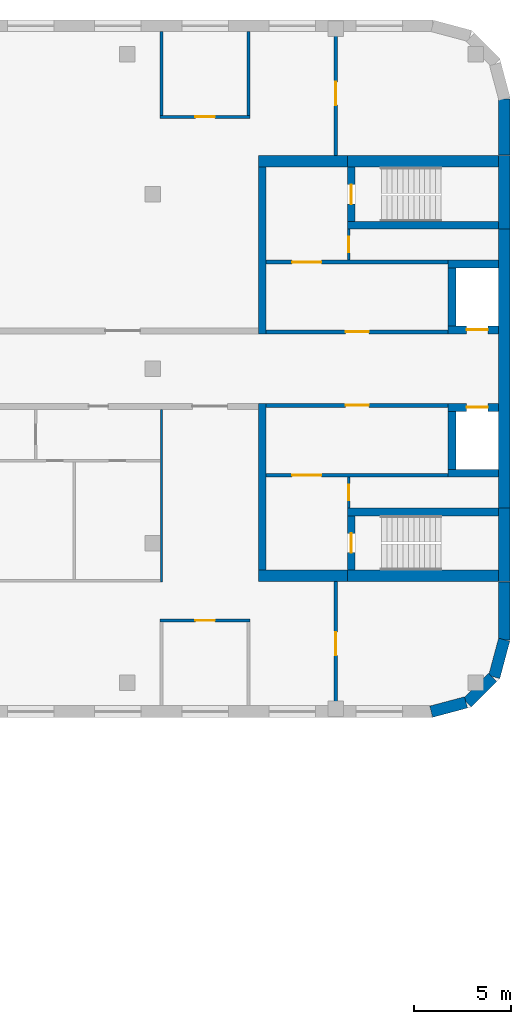
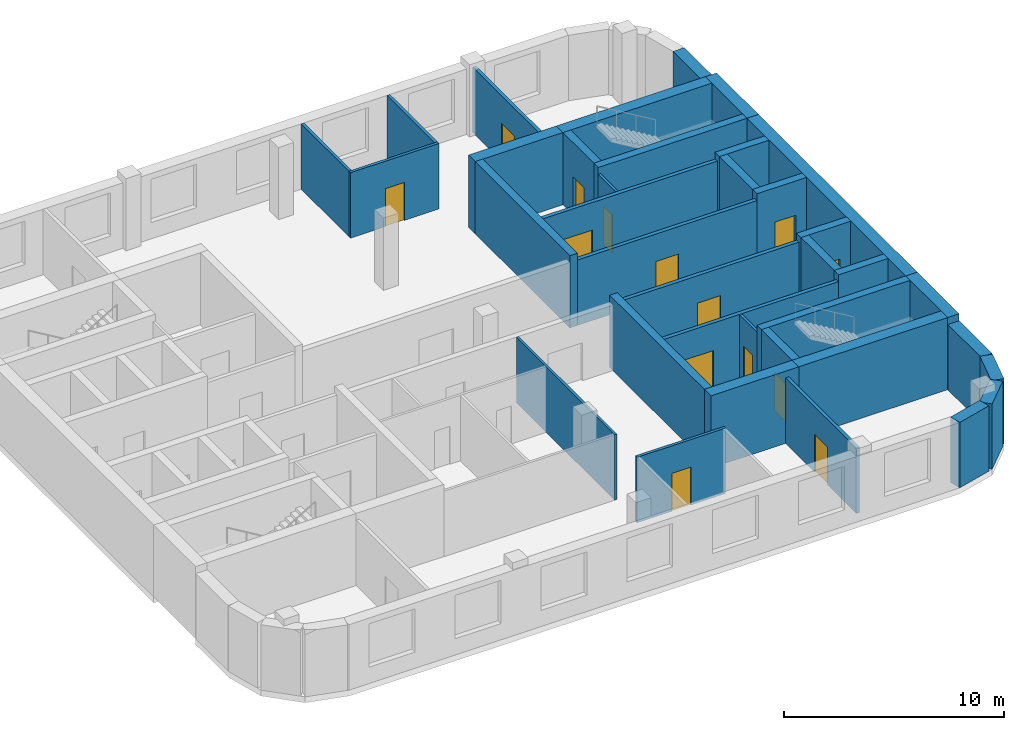
# One storey, part 9 of 12: 37 walls, 14 doors, 14 openings.
"""IFC4 building model written with IfcOpenShell, lengths in metres."""

import ifcopenshell
import ifcopenshell.guid

model = None  # the IFC model being written
_history = None  # IfcOwnerHistory: only IFC2X3 demands one
_inside = {}  # id of a spatial element -> (the spatial element, [elements in it])
_under = {}  # id of a project, library or spatial element -> (it, [spatial elements below it])
_declared = {}  # id of a project -> (the project, [libraries it declares])
_typed = {}  # id of a type object -> (the type object, [elements of that type])
_made_of = {}  # id of a material, layer set ... -> (it, [elements and type objects made of it])


def new_model(schema):
    """Start an empty IFC model of exactly this schema.

    Asked for "IFC4X3", IfcOpenShell would pick the latest addendum, in which some entities
    have other attributes; the version numbers below select the first issue.
    IFC2X3 requires an IfcOwnerHistory on every rooted entity: one is made here for all.
    """
    global model, _history
    if schema == "IFC4X3":
        model = ifcopenshell.file(schema_version=(4, 3, 0, 0))
    else:
        model = ifcopenshell.file(schema=schema)
    _inside.clear()
    _under.clear()
    _declared.clear()
    _typed.clear()
    _made_of.clear()
    _history = None
    if model.schema == "IFC2X3":
        org = make("IfcOrganization", Name="unknown")
        user = make(
            "IfcPersonAndOrganization",
            ThePerson=make("IfcPerson", FamilyName="unknown"),
            TheOrganization=org,
        )
        app = make(
            "IfcApplication",
            ApplicationDeveloper=org,
            Version="unknown",
            ApplicationFullName="unknown",
            ApplicationIdentifier="unknown",
        )
        _history = make(
            "IfcOwnerHistory",
            OwningUser=user,
            OwningApplication=app,
            ChangeAction="ADDED",
            CreationDate=0,
        )
    return model


def make(cls, **values):
    """One entity of the class cls with the attributes given. An attribute that is None is left unset."""
    return model.create_entity(
        cls, **{name: value for name, value in values.items() if value is not None}
    )


def rooted(cls, **values):
    """An entity with a GlobalId (a new one), such as an element, a storey or a relation."""
    return make(cls, GlobalId=ifcopenshell.guid.new(), OwnerHistory=_history, **values)


def si_unit(unit_type, name, prefix=None):
    """IfcSIUnit, for example si_unit("LENGTHUNIT", "METRE", prefix="MILLI")."""
    return make("IfcSIUnit", UnitType=unit_type, Prefix=prefix, Name=name)


def assignment(units):
    """IfcUnitAssignment: the units of a project."""
    return None if units is None else make("IfcUnitAssignment", Units=units)


def point(xyz):
    """IfcCartesianPoint."""
    return None if xyz is None else make("IfcCartesianPoint", Coordinates=xyz)


def direction(xyz):
    """IfcDirection."""
    return None if xyz is None else make("IfcDirection", DirectionRatios=xyz)


def frame(location, z_axis=None, x_axis=None):
    """IfcAxis2Placement3D, a coordinate frame: its origin and axes. An axis left out is left unset."""
    return make(
        "IfcAxis2Placement3D",
        Location=point(location),
        Axis=direction(z_axis),
        RefDirection=direction(x_axis),
    )


def frame_2d(location, x_axis=None):
    """IfcAxis2Placement2D, a coordinate frame in the plane: its origin and x axis."""
    return make(
        "IfcAxis2Placement2D", Location=point(location), RefDirection=direction(x_axis)
    )


def origin():
    """The frame at (0, 0, 0) with its axes left unset."""
    return frame((0.0, 0.0, 0.0))


def place(relative_to, where):
    """IfcLocalPlacement: puts the frame where relative to a parent placement (None: the world)."""
    return make(
        "IfcLocalPlacement", PlacementRelTo=relative_to, RelativePlacement=where
    )


def context(
    kind, dimensions, precision=None, world=None, true_north=None, identifier=None
):
    """IfcGeometricRepresentationContext, for example the 3D "Model" context."""
    return make(
        "IfcGeometricRepresentationContext",
        ContextIdentifier=identifier,
        ContextType=kind,
        CoordinateSpaceDimension=dimensions,
        Precision=precision,
        WorldCoordinateSystem=world,
        TrueNorth=true_north,
    )


def subcontext(parent, identifier, kind, view, scale=None):
    """IfcGeometricRepresentationSubContext, for example "Body" below "Model"."""
    return make(
        "IfcGeometricRepresentationSubContext",
        ContextIdentifier=identifier,
        ContextType=kind,
        ParentContext=parent,
        TargetScale=scale,
        TargetView=view,
    )


def project(units=None, contexts=None):
    """IfcProject with its units and contexts."""
    return rooted(
        "IfcProject",
        Name="project",
        RepresentationContexts=contexts,
        UnitsInContext=assignment(units),
    )


def spatial(cls, under=None, at=None, **own):
    """A site, building, storey or space (cls), placed at a placement, below another one or the project."""
    s = rooted(cls, ObjectPlacement=at, **own)
    if under is not None:
        _under.setdefault(under.id(), (under, []))[1].append(s)
    return s


def profile(cls, at=None, kind="AREA", **sizes):
    """A parametric profile (cls). Its sizes go by their IFC names, for example OverallWidth=200.0."""
    return make(cls, ProfileType=kind, Position=at, **sizes)


def rectangle(**sizes):
    """IfcRectangleProfileDef."""
    return profile("IfcRectangleProfileDef", **sizes)


def extrude(swept, where, along, depth):
    """IfcExtrudedAreaSolid: the profile swept, set in the frame where, extruded along a direction by depth."""
    return make(
        "IfcExtrudedAreaSolid",
        SweptArea=swept,
        Position=where,
        ExtrudedDirection=direction(along),
        Depth=depth,
    )


def shape(context_of_items, identifier, shape_type, items):
    """IfcShapeRepresentation: the items that make up one representation, for example the "Body"."""
    return make(
        "IfcShapeRepresentation",
        ContextOfItems=context_of_items,
        RepresentationIdentifier=identifier,
        RepresentationType=shape_type,
        Items=items,
    )


def material(Name=None, Category=None):
    """IfcMaterial."""
    return make("IfcMaterial", Name=Name, Category=Category)


def layer(
    of_material, thickness, ventilated=None, Name=None, Category=None, Priority=None
):
    """IfcMaterialLayer: one layer of a wall or slab, of a material (None: an air gap)."""
    return make(
        "IfcMaterialLayer",
        Material=of_material,
        LayerThickness=thickness,
        IsVentilated=ventilated,
        Name=Name,
        Category=Category,
        Priority=Priority,
    )


def layer_set(layers, Name=None):
    """IfcMaterialLayerSet."""
    return make("IfcMaterialLayerSet", MaterialLayers=layers, LayerSetName=Name)


def made_of(thing, what):
    """Note that an element or type object is made of a material, layer set ...; save() writes the relation."""
    if what is not None:
        _made_of.setdefault(what.id(), (what, []))[1].append(thing)
    return thing


def type_object(cls, material=None, **own):
    """A type object (cls), such as IfcWallType, which elements share."""
    return made_of(rooted(cls, **own), material)


def element(
    cls,
    number,
    at=None,
    inside=None,
    cuts=None,
    type_object=None,
    material=None,
    context=None,
    identifier="Body",
    shape_type=None,
    held_by="IfcProductDefinitionShape",
    body=None,
    shapes=None,
    **own,
):
    """One element of the class cls, such as IfcWall. Its Tag is "e" and its number.

    at: its placement. inside: the storey or other place that contains it. cuts: it is an
    opening in that element (IfcRelVoidsElement). A single representation is given by context,
    identifier, shape_type and body (its items); several are given by shapes. held_by: the class
    of the entity that holds the representations. save() writes the other relations.
    """
    e = rooted(cls, Tag="e%d" % number, ObjectPlacement=at, **own)
    if body is not None:
        shapes = [shape(context, identifier, shape_type, body)]
    if shapes is not None:
        e.Representation = make(held_by, Representations=shapes)
    if inside is not None:
        _inside.setdefault(inside.id(), (inside, []))[1].append(e)
    if cuts is not None:
        rooted(
            "IfcRelVoidsElement", RelatingBuildingElement=cuts, RelatedOpeningElement=e
        )
    if type_object is not None:
        _typed.setdefault(type_object.id(), (type_object, []))[1].append(e)
    return made_of(e, material)


def fill(opening, filler):
    """IfcRelFillsElement: the door or window that sits in an opening."""
    return rooted(
        "IfcRelFillsElement",
        RelatingOpeningElement=opening,
        RelatedBuildingElement=filler,
    )


def aggregate(whole, parts):
    """IfcRelAggregates: a whole, such as a stair, and the parts it consists of."""
    return rooted("IfcRelAggregates", RelatingObject=whole, RelatedObjects=parts)


def save(model, path):
    """Write the relations noted so far, then the file.

    IfcRelAggregates (storeys below a building ...), IfcRelContainedInSpatialStructure (elements
    in a storey), IfcRelDefinesByType, IfcRelAssociatesMaterial and IfcRelDeclares: one each for
    every whole, place, type object, material and project.
    """
    for whole, parts in _under.values():
        aggregate(whole, parts)
    for where, things in _inside.values():
        rooted(
            "IfcRelContainedInSpatialStructure",
            RelatedElements=things,
            RelatingStructure=where,
        )
    for kind, things in _typed.values():
        rooted("IfcRelDefinesByType", RelatedObjects=things, RelatingType=kind)
    for what, things in _made_of.values():
        rooted("IfcRelAssociatesMaterial", RelatedObjects=things, RelatingMaterial=what)
    for by, libraries in _declared.values():
        rooted("IfcRelDeclares", RelatingContext=by, RelatedDefinitions=libraries)
    model.write(path)


model = new_model("IFC4")

# Units and contexts
model_context = context("Model", 3, precision=1e-05, world=origin(), true_north=direction((0.0, 1.0)))
body_context = subcontext(model_context, "Body", "Model", "MODEL_VIEW")
ifc_project = project(units=[si_unit("LENGTHUNIT", "METRE"), si_unit("AREAUNIT", "SQUARE_METRE"), si_unit("VOLUMEUNIT", "CUBIC_METRE"), si_unit("PLANEANGLEUNIT", "RADIAN"), si_unit("MASSUNIT", "GRAM", prefix="KILO")], contexts=[model_context])

# Site, building, storey
site_placement = place(None, origin())
site = spatial("IfcSite", under=ifc_project, at=site_placement, CompositionType="ELEMENT")
building_placement = place(site_placement, origin())
building = spatial("IfcBuilding", under=site, at=building_placement, Name="Skarvind Civic Tower", CompositionType="ELEMENT")
storey_placement = place(building_placement, frame((0.0, 0.0, 51.5)))
storey = spatial("IfcBuildingStorey", under=building, at=storey_placement, Name="L11", CompositionType="ELEMENT", Elevation=51.5)

# Wall, opening, door
ifc_material_1 = material(Name="Acoustic gypsum board on steel studs", Category="steel")
ifc_layer_1 = layer(ifc_material_1, 0.175048828125)
ifc_layer_set_1 = layer_set([ifc_layer_1], Name="ACOUSTIC MEETING-ROOM PARTITION 175")
wall_type_1 = type_object("IfcWallType", Name="ACOUSTIC MEETING-ROOM PARTITION 175", PredefinedType="PARTITIONING", material=ifc_layer_set_1)
wall_1_placement = place(storey_placement, frame((158.0, 110.60009765625, 0.0), z_axis=(0.0, 0.0, 1.0), x_axis=(0.0, 1.0, 0.0)))
wall_1 = element("IfcWall", 1, at=wall_1_placement, inside=storey, type_object=wall_type_1, Name="Partition 11.016", PredefinedType="PARTITIONING", context=body_context, shape_type="SweptSolid", body=[
    extrude(rectangle(XDim=6.39990234375, YDim=0.175048828125, at=frame_2d((3.199951171875, 0.0))), origin(), (0.0, 0.0, 1.0), 3.625),
])
opening_1_placement = place(wall_1_placement, frame((2.60009765625, 0.0, 0.0)))
opening_1 = element("IfcOpeningElement", 2, at=opening_1_placement, cuts=wall_1, Name="Opening L11-D112", PredefinedType="OPENING", context=body_context, shape_type="SweptSolid", body=[
    extrude(rectangle(XDim=1.199951171875, YDim=2.10009765625, at=frame_2d((0.60009765625, 1.050048828125))), frame((0.0, 0.097412109375, 0.0), z_axis=(0.0, -1.0, 0.0), x_axis=(1.0, 0.0, 0.0)), (0.0, 0.0, 1.0), 0.195068359375),
])
ifc_material_2 = material(Name="Timber door leaf", Category="wood")
door_type_1 = type_object("IfcDoorType", Name="DOOR 1200X2100 DOUBLE TIMBER", OperationType="NOTDEFINED", PredefinedType="DOOR", material=ifc_material_2)
door_1_placement = place(opening_1_placement, origin())
door_1 = element("IfcDoor", 3, at=door_1_placement, inside=storey, type_object=door_type_1, Name="Door L11-D112", OperationType="DOUBLE_DOOR_SINGLE_SWING", OverallHeight=2.10009765625, OverallWidth=1.199951171875, PredefinedType="DOOR", context=body_context, shape_type="SweptSolid", body=[
    extrude(rectangle(XDim=1.199951171875, YDim=2.10009765625, at=frame_2d((0.60009765625, 1.050048828125))), frame((0.0, 0.02490234375, 0.0), z_axis=(0.0, -1.0, 0.0), x_axis=(1.0, 0.0, 0.0)), (0.0, 0.0, 1.0), 0.050048828125),
])
fill(opening_1, door_1)

wall_2_placement = place(storey_placement, frame((158.0, 139.0, 0.0), z_axis=(0.0, 0.0, 1.0), x_axis=(0.0, 1.0, 0.0)))
wall_2 = element("IfcWall", 4, at=wall_2_placement, inside=storey, type_object=wall_type_1, Name="Partition 11.017", PredefinedType="PARTITIONING", context=body_context, shape_type="SweptSolid", body=[
    extrude(rectangle(XDim=6.39990234375, YDim=0.175048828125, at=frame_2d((3.199951171875, 0.0))), origin(), (0.0, 0.0, 1.0), 3.625),
])
opening_2_placement = place(wall_2_placement, frame((2.60009765625, 0.0, 0.0)))
opening_2 = element("IfcOpeningElement", 5, at=opening_2_placement, cuts=wall_2, Name="Opening L11-D104", PredefinedType="OPENING", context=body_context, shape_type="SweptSolid", body=[
    extrude(rectangle(XDim=1.199951171875, YDim=2.10009765625, at=frame_2d((0.60009765625, 1.050048828125))), frame((0.0, 0.097412109375, 0.0), z_axis=(0.0, -1.0, 0.0), x_axis=(1.0, 0.0, 0.0)), (0.0, 0.0, 1.0), 0.195068359375),
])
door_2_placement = place(opening_2_placement, origin())
door_2 = element("IfcDoor", 6, at=door_2_placement, inside=storey, type_object=door_type_1, Name="Door L11-D104", OperationType="DOUBLE_DOOR_SINGLE_SWING", OverallHeight=2.10009765625, OverallWidth=1.199951171875, PredefinedType="DOOR", context=body_context, shape_type="SweptSolid", body=[
    extrude(rectangle(XDim=1.199951171875, YDim=2.10009765625, at=frame_2d((0.60009765625, 1.050048828125))), frame((0.0, 0.02490234375, 0.0), z_axis=(0.0, -1.0, 0.0), x_axis=(1.0, 0.0, 0.0)), (0.0, 0.0, 1.0), 0.050048828125),
])
fill(opening_2, door_2)

ifc_material_3 = material(Name="Fire-rated masonry partition", Category="masonry")
ifc_layer_2 = layer(ifc_material_3, 0.199951171875)
ifc_layer_set_2 = layer_set([ifc_layer_2], Name="Core enclosure wall 200")
wall_type_2 = type_object("IfcWallType", Name="Core enclosure wall 200", PredefinedType="PARTITIONING", material=ifc_layer_set_2)
wall_3_placement = place(storey_placement, frame((163.800048828125, 126.10009765625, 0.0), z_axis=(0.0, 0.0, 1.0), x_axis=(-1.0, 0.0, 0.0)))
wall_3 = element("IfcWall", 7, at=wall_3_placement, inside=storey, type_object=wall_type_2, Name="Core wall CB", PredefinedType="PARTITIONING", context=body_context, shape_type="SweptSolid", body=[
    extrude(rectangle(XDim=9.400146484375, YDim=0.199951171875, at=frame_2d((4.7001953125, 0.0))), origin(), (0.0, 0.0, 1.0), 3.625),
])
opening_3_placement = place(wall_3_placement, frame((4.10009765625, 0.0, 0.0)))
opening_3 = element("IfcOpeningElement", 8, at=opening_3_placement, cuts=wall_3, Name="Opening D-L11-CB-03", PredefinedType="OPENING", context=body_context, shape_type="SweptSolid", body=[
    extrude(rectangle(XDim=1.199951171875, YDim=2.10009765625, at=frame_2d((0.60009765625, 1.050048828125))), frame((0.0, 0.10986328125, 0.0), z_axis=(0.0, -1.0, 0.0), x_axis=(1.0, 0.0, 0.0)), (0.0, 0.0, 1.0), 0.219970703125),
])
ifc_material_4 = material(Name="Fire-rated steel door", Category="steel")
door_type_2 = type_object("IfcDoorType", Name="Core lobby door 1200", OperationType="NOTDEFINED", PredefinedType="DOOR", material=ifc_material_4)
door_3_placement = place(opening_3_placement, origin())
door_3 = element("IfcDoor", 9, at=door_3_placement, inside=storey, type_object=door_type_2, Name="Fire door", OperationType="DOUBLE_DOOR_SINGLE_SWING", OverallHeight=2.10009765625, OverallWidth=1.199951171875, PredefinedType="DOOR", context=body_context, shape_type="SweptSolid", body=[
    extrude(rectangle(XDim=1.199951171875, YDim=2.10009765625, at=frame_2d((0.60009765625, 1.050048828125))), frame((0.0, 0.02490234375, 0.0), z_axis=(0.0, -1.0, 0.0), x_axis=(1.0, 0.0, 0.0)), (0.0, 0.0, 1.0), 0.050048828125),
])
fill(opening_3, door_3)

wall_4_placement = place(storey_placement, frame((163.800048828125, 122.5, 0.0), z_axis=(0.0, 0.0, 1.0), x_axis=(-1.0, 0.0, 0.0)))
wall_4 = element("IfcWall", 10, at=wall_4_placement, inside=storey, type_object=wall_type_2, Name="Core wall CB", PredefinedType="PARTITIONING", context=body_context, shape_type="SweptSolid", body=[
    extrude(rectangle(XDim=9.400146484375, YDim=0.199951171875, at=frame_2d((4.7001953125, 0.0))), origin(), (0.0, 0.0, 1.0), 3.625),
])
opening_4_placement = place(wall_4_placement, frame((6.550048828125, 0.0, 0.0)))
opening_4 = element("IfcOpeningElement", 11, at=opening_4_placement, cuts=wall_4, Name="Opening D-L11-CB-04", PredefinedType="OPENING", context=body_context, shape_type="SweptSolid", body=[
    extrude(rectangle(XDim=1.5, YDim=2.10009765625, at=frame_2d((0.75, 1.050048828125))), frame((0.0, 0.10986328125, 0.0), z_axis=(0.0, -1.0, 0.0), x_axis=(1.0, 0.0, 0.0)), (0.0, 0.0, 1.0), 0.219970703125),
])
door_type_3 = type_object("IfcDoorType", Name="Fire door 1500", OperationType="NOTDEFINED", PredefinedType="DOOR", material=ifc_material_4)
door_4_placement = place(opening_4_placement, origin())
door_4 = element("IfcDoor", 12, at=door_4_placement, inside=storey, type_object=door_type_3, Name="Fire door", OperationType="DOUBLE_DOOR_SINGLE_SWING", OverallHeight=2.10009765625, OverallWidth=1.5, PredefinedType="DOOR", context=body_context, shape_type="SweptSolid", body=[
    extrude(rectangle(XDim=1.5, YDim=2.10009765625, at=frame_2d((0.75, 1.050048828125))), frame((0.0, 0.02490234375, 0.0), z_axis=(0.0, -1.0, 0.0), x_axis=(1.0, 0.0, 0.0)), (0.0, 0.0, 1.0), 0.050048828125),
])
fill(opening_4, door_4)

wall_5_placement = place(storey_placement, frame((154.39990234375, 129.89990234375, 0.0), z_axis=(0.0, 0.0, 1.0), x_axis=(1.0, 0.0, 0.0)))
wall_5 = element("IfcWall", 13, at=wall_5_placement, inside=storey, type_object=wall_type_2, Name="Core wall CB", PredefinedType="PARTITIONING", context=body_context, shape_type="SweptSolid", body=[
    extrude(rectangle(XDim=9.400146484375, YDim=0.199951171875, at=frame_2d((4.7001953125, 0.0))), origin(), (0.0, 0.0, 1.0), 3.625),
])
opening_5_placement = place(wall_5_placement, frame((4.10009765625, 0.0, 0.0)))
opening_5 = element("IfcOpeningElement", 14, at=opening_5_placement, cuts=wall_5, Name="Opening D-L11-CB-07", PredefinedType="OPENING", context=body_context, shape_type="SweptSolid", body=[
    extrude(rectangle(XDim=1.199951171875, YDim=2.10009765625, at=frame_2d((0.60009765625, 1.050048828125))), frame((0.0, 0.10986328125, 0.0), z_axis=(0.0, -1.0, 0.0), x_axis=(1.0, 0.0, 0.0)), (0.0, 0.0, 1.0), 0.219970703125),
])
door_5_placement = place(opening_5_placement, origin())
door_5 = element("IfcDoor", 15, at=door_5_placement, inside=storey, type_object=door_type_2, Name="Fire door", OperationType="DOUBLE_DOOR_SINGLE_SWING", OverallHeight=2.10009765625, OverallWidth=1.199951171875, PredefinedType="DOOR", context=body_context, shape_type="SweptSolid", body=[
    extrude(rectangle(XDim=1.199951171875, YDim=2.10009765625, at=frame_2d((0.60009765625, 1.050048828125))), frame((0.0, 0.02490234375, 0.0), z_axis=(0.0, -1.0, 0.0), x_axis=(1.0, 0.0, 0.0)), (0.0, 0.0, 1.0), 0.050048828125),
])
fill(opening_5, door_5)

wall_6_placement = place(storey_placement, frame((154.39990234375, 133.5, 0.0), z_axis=(0.0, 0.0, 1.0), x_axis=(1.0, 0.0, 0.0)))
wall_6 = element("IfcWall", 16, at=wall_6_placement, inside=storey, type_object=wall_type_2, Name="Core wall CB", PredefinedType="PARTITIONING", context=body_context, shape_type="SweptSolid", body=[
    extrude(rectangle(XDim=9.400146484375, YDim=0.199951171875, at=frame_2d((4.7001953125, 0.0))), origin(), (0.0, 0.0, 1.0), 3.625),
])
opening_6_placement = place(wall_6_placement, frame((1.35009765625, 0.0, 0.0)))
opening_6 = element("IfcOpeningElement", 17, at=opening_6_placement, cuts=wall_6, Name="Opening D-L11-CB-08", PredefinedType="OPENING", context=body_context, shape_type="SweptSolid", body=[
    extrude(rectangle(XDim=1.5, YDim=2.10009765625, at=frame_2d((0.75, 1.050048828125))), frame((0.0, 0.10986328125, 0.0), z_axis=(0.0, -1.0, 0.0), x_axis=(1.0, 0.0, 0.0)), (0.0, 0.0, 1.0), 0.219970703125),
])
door_6_placement = place(opening_6_placement, origin())
door_6 = element("IfcDoor", 18, at=door_6_placement, inside=storey, type_object=door_type_3, Name="Fire door", OperationType="DOUBLE_DOOR_SINGLE_SWING", OverallHeight=2.10009765625, OverallWidth=1.5, PredefinedType="DOOR", context=body_context, shape_type="SweptSolid", body=[
    extrude(rectangle(XDim=1.5, YDim=2.10009765625, at=frame_2d((0.75, 1.050048828125))), frame((0.0, 0.02490234375, 0.0), z_axis=(0.0, -1.0, 0.0), x_axis=(1.0, 0.0, 0.0)), (0.0, 0.0, 1.0), 0.050048828125),
])
fill(opening_6, door_6)

# Wall
ifc_material_5 = material(Name="Concrete C80", Category="concrete")
ifc_layer_3 = layer(ifc_material_5, 0.39990234375)
ifc_layer_set_3 = layer_set([ifc_layer_3], Name="Core wall 400 C80")
wall_type_3 = type_object("IfcWallType", Name="Core wall 400 C80", PredefinedType="SHEAR", material=ifc_layer_set_3)
wall_7_placement = place(storey_placement, frame((166.39990234375, 135.39990234375, 0.0), z_axis=(0.0, 0.0, 1.0), x_axis=(-1.0, 0.0, 0.0)))
element("IfcWall", 19, at=wall_7_placement, inside=storey, type_object=wall_type_3, Name="Core wall CB south stair inner L11", PredefinedType="SHEAR", context=body_context, shape_type="SweptSolid", body=[
    extrude(rectangle(XDim=7.7998046875, YDim=0.39990234375, at=frame_2d((3.89990234375, 0.0))), origin(), (0.0, 0.0, 1.0), 4.0),
])

# Wall, opening, door
wall_8_placement = place(storey_placement, frame((158.800048828125, 138.39990234375, 0.0), z_axis=(0.0, 0.0, 1.0), x_axis=(0.0, -1.0, 0.0)))
wall_8 = element("IfcWall", 20, at=wall_8_placement, inside=storey, type_object=wall_type_3, Name="Core wall CB south stair end L11", PredefinedType="SHEAR", context=body_context, shape_type="SweptSolid", body=[
    extrude(rectangle(XDim=2.7998046875, YDim=0.39990234375, at=frame_2d((1.39990234375, 0.0))), origin(), (0.0, 0.0, 1.0), 4.0),
])
opening_7_placement = place(wall_8_placement, frame((0.89990234375, 0.0, 0.0)))
opening_7 = element("IfcOpeningElement", 21, at=opening_7_placement, cuts=wall_8, Name="Opening D-L11-CB-09", PredefinedType="OPENING", context=body_context, shape_type="SweptSolid", body=[
    extrude(rectangle(XDim=1.0, YDim=2.10009765625, at=frame_2d((0.5, 1.050048828125))), frame((0.0, 0.2099609375, 0.0), z_axis=(0.0, -1.0, 0.0), x_axis=(1.0, 0.0, 0.0)), (0.0, 0.0, 1.0), 0.419921875),
])
door_type_4 = type_object("IfcDoorType", Name="Fire door 1000", OperationType="NOTDEFINED", PredefinedType="DOOR", material=ifc_material_4)
door_7_placement = place(opening_7_placement, origin())
door_7 = element("IfcDoor", 22, at=door_7_placement, inside=storey, type_object=door_type_4, Name="Fire door", OperationType="SINGLE_SWING_RIGHT", OverallHeight=2.10009765625, OverallWidth=1.0, PredefinedType="DOOR", context=body_context, shape_type="SweptSolid", body=[
    extrude(rectangle(XDim=1.0, YDim=2.10009765625, at=frame_2d((0.5, 1.050048828125))), frame((0.0, 0.02490234375, 0.0), z_axis=(0.0, -1.0, 0.0), x_axis=(1.0, 0.0, 0.0)), (0.0, 0.0, 1.0), 0.050048828125),
])
fill(opening_7, door_7)

# Wall
wall_9_placement = place(storey_placement, frame((166.39990234375, 120.60009765625, 0.0), z_axis=(0.0, 0.0, 1.0), x_axis=(-1.0, 0.0, 0.0)))
element("IfcWall", 23, at=wall_9_placement, inside=storey, type_object=wall_type_3, Name="Core wall CB north stair inner L11", PredefinedType="SHEAR", context=body_context, shape_type="SweptSolid", body=[
    extrude(rectangle(XDim=7.7998046875, YDim=0.39990234375, at=frame_2d((3.89990234375, 0.0))), origin(), (0.0, 0.0, 1.0), 4.0),
])

# Wall, opening, door
wall_10_placement = place(storey_placement, frame((158.800048828125, 120.39990234375, 0.0), z_axis=(0.0, 0.0, 1.0), x_axis=(0.0, -1.0, 0.0)))
wall_10 = element("IfcWall", 24, at=wall_10_placement, inside=storey, type_object=wall_type_3, Name="Core wall CB north stair end L11", PredefinedType="SHEAR", context=body_context, shape_type="SweptSolid", body=[
    extrude(rectangle(XDim=2.7998046875, YDim=0.39990234375, at=frame_2d((1.39990234375, 0.0))), origin(), (0.0, 0.0, 1.0), 4.0),
])
opening_8_placement = place(wall_10_placement, frame((0.89990234375, 0.0, 0.0)))
opening_8 = element("IfcOpeningElement", 25, at=opening_8_placement, cuts=wall_10, Name="Opening D-L11-CB-05", PredefinedType="OPENING", context=body_context, shape_type="SweptSolid", body=[
    extrude(rectangle(XDim=1.0, YDim=2.10009765625, at=frame_2d((0.5, 1.050048828125))), frame((0.0, 0.2099609375, 0.0), z_axis=(0.0, -1.0, 0.0), x_axis=(1.0, 0.0, 0.0)), (0.0, 0.0, 1.0), 0.419921875),
])
door_8_placement = place(opening_8_placement, origin())
door_8 = element("IfcDoor", 26, at=door_8_placement, inside=storey, type_object=door_type_4, Name="Fire door", OperationType="SINGLE_SWING_LEFT", OverallHeight=2.10009765625, OverallWidth=1.0, PredefinedType="DOOR", context=body_context, shape_type="SweptSolid", body=[
    extrude(rectangle(XDim=1.0, YDim=2.10009765625, at=frame_2d((0.5, 1.050048828125))), frame((0.0, 0.02490234375, 0.0), z_axis=(0.0, -1.0, 0.0), x_axis=(1.0, 0.0, 0.0)), (0.0, 0.0, 1.0), 0.050048828125),
])
fill(opening_8, door_8)

wall_11_placement = place(storey_placement, frame((166.39990234375, 130.0, 0.0), z_axis=(0.0, 0.0, 1.0), x_axis=(-1.0, 0.0, 0.0)))
wall_11 = element("IfcWall", 27, at=wall_11_placement, inside=storey, type_object=wall_type_3, Name="Core wall CB south lift row front L11", PredefinedType="SHEAR", context=body_context, shape_type="SweptSolid", body=[
    extrude(rectangle(XDim=2.599853515625, YDim=0.39990234375, at=frame_2d((1.2998046875, 0.0))), origin(), (0.0, 0.0, 1.0), 4.0),
])
opening_9_placement = place(wall_11_placement, frame((0.550048828125, 0.0, 0.0)))
opening_9 = element("IfcOpeningElement", 28, at=opening_9_placement, cuts=wall_11, Name="Opening LD13402", PredefinedType="OPENING", context=body_context, shape_type="SweptSolid", body=[
    extrude(rectangle(XDim=1.10009765625, YDim=2.10009765625, at=frame_2d((0.550048828125, 1.050048828125))), frame((0.0, 0.2099609375, 0.0), z_axis=(0.0, -1.0, 0.0), x_axis=(1.0, 0.0, 0.0)), (0.0, 0.0, 1.0), 0.419921875),
])
ifc_material_6 = material(Name="Stainless steel landing door", Category="steel")
door_type_5 = type_object("IfcDoorType", Name="Lift landing door 1100", OperationType="DOUBLE_DOOR_SLIDING", PredefinedType="DOOR", material=ifc_material_6)
door_9_placement = place(opening_9_placement, origin())
door_9 = element("IfcDoor", 29, at=door_9_placement, inside=storey, type_object=door_type_5, Name="Lift landing door", OperationType="DOUBLE_DOOR_SLIDING", OverallHeight=2.10009765625, OverallWidth=1.10009765625, PredefinedType="DOOR", context=body_context, shape_type="SweptSolid", body=[
    extrude(rectangle(XDim=1.10009765625, YDim=2.10009765625, at=frame_2d((0.550048828125, 1.050048828125))), frame((0.0, 0.02490234375, 0.0), z_axis=(0.0, -1.0, 0.0), x_axis=(1.0, 0.0, 0.0)), (0.0, 0.0, 1.0), 0.050048828125),
])
fill(opening_9, door_9)

# Walls
wall_12_placement = place(storey_placement, frame((166.39990234375, 133.39990234375, 0.0), z_axis=(0.0, 0.0, 1.0), x_axis=(-1.0, 0.0, 0.0)))
element("IfcWall", 30, at=wall_12_placement, inside=storey, type_object=wall_type_3, Name="Core wall CB south lift row back L11", PredefinedType="SHEAR", context=body_context, shape_type="SweptSolid", body=[
    extrude(rectangle(XDim=2.599853515625, YDim=0.39990234375, at=frame_2d((1.2998046875, 0.0))), origin(), (0.0, 0.0, 1.0), 4.0),
])
wall_13_placement = place(storey_placement, frame((164.0, 133.199951171875, 0.0), z_axis=(0.0, 0.0, 1.0), x_axis=(0.0, -1.0, 0.0)))
element("IfcWall", 31, at=wall_13_placement, inside=storey, type_object=wall_type_3, Name="Core wall CB south lift row division 1 L11", PredefinedType="SHEAR", context=body_context, shape_type="SweptSolid", body=[
    extrude(rectangle(XDim=3.0, YDim=0.39990234375, at=frame_2d((1.5, 0.0))), origin(), (0.0, 0.0, 1.0), 4.0),
])

# Wall, opening, door
wall_14_placement = place(storey_placement, frame((166.39990234375, 126.0, 0.0), z_axis=(0.0, 0.0, 1.0), x_axis=(-1.0, 0.0, 0.0)))
wall_14 = element("IfcWall", 32, at=wall_14_placement, inside=storey, type_object=wall_type_3, Name="Core wall CB north lift row front L11", PredefinedType="SHEAR", context=body_context, shape_type="SweptSolid", body=[
    extrude(rectangle(XDim=2.599853515625, YDim=0.39990234375, at=frame_2d((1.2998046875, 0.0))), origin(), (0.0, 0.0, 1.0), 4.0),
])
opening_10_placement = place(wall_14_placement, frame((0.550048828125, 0.0, 0.0)))
opening_10 = element("IfcOpeningElement", 33, at=opening_10_placement, cuts=wall_14, Name="Opening LD13401", PredefinedType="OPENING", context=body_context, shape_type="SweptSolid", body=[
    extrude(rectangle(XDim=1.10009765625, YDim=2.10009765625, at=frame_2d((0.550048828125, 1.050048828125))), frame((0.0, 0.2099609375, 0.0), z_axis=(0.0, -1.0, 0.0), x_axis=(1.0, 0.0, 0.0)), (0.0, 0.0, 1.0), 0.419921875),
])
door_10_placement = place(opening_10_placement, origin())
door_10 = element("IfcDoor", 34, at=door_10_placement, inside=storey, type_object=door_type_5, Name="Lift landing door", OperationType="DOUBLE_DOOR_SLIDING", OverallHeight=2.10009765625, OverallWidth=1.10009765625, PredefinedType="DOOR", context=body_context, shape_type="SweptSolid", body=[
    extrude(rectangle(XDim=1.10009765625, YDim=2.10009765625, at=frame_2d((0.550048828125, 1.050048828125))), frame((0.0, 0.02490234375, 0.0), z_axis=(0.0, -1.0, 0.0), x_axis=(1.0, 0.0, 0.0)), (0.0, 0.0, 1.0), 0.050048828125),
])
fill(opening_10, door_10)

# Walls
wall_15_placement = place(storey_placement, frame((166.39990234375, 122.60009765625, 0.0), z_axis=(0.0, 0.0, 1.0), x_axis=(-1.0, 0.0, 0.0)))
element("IfcWall", 35, at=wall_15_placement, inside=storey, type_object=wall_type_3, Name="Core wall CB north lift row back L11", PredefinedType="SHEAR", context=body_context, shape_type="SweptSolid", body=[
    extrude(rectangle(XDim=2.599853515625, YDim=0.39990234375, at=frame_2d((1.2998046875, 0.0))), origin(), (0.0, 0.0, 1.0), 4.0),
])
wall_16_placement = place(storey_placement, frame((164.0, 125.800048828125, 0.0), z_axis=(0.0, 0.0, 1.0), x_axis=(0.0, -1.0, 0.0)))
element("IfcWall", 36, at=wall_16_placement, inside=storey, type_object=wall_type_3, Name="Core wall CB north lift row division 1 L11", PredefinedType="SHEAR", context=body_context, shape_type="SweptSolid", body=[
    extrude(rectangle(XDim=3.0, YDim=0.39990234375, at=frame_2d((1.5, 0.0))), origin(), (0.0, 0.0, 1.0), 4.0),
])
for number, where, z_axis, x_axis, name in (
    (37, (154.199951171875, 138.39990234375, 0.0), (0.0, 0.0, 1.0), (0.0, -1.0, 0.0), "Core wall CB south inner face L11"),
    (38, (154.199951171875, 126.199951171875, 0.0), (0.0, 0.0, 1.0), (0.0, -1.0, 0.0), "Core wall CB north inner face L11"),
):
    element("IfcWall", number, at=place(storey_placement, frame(where, z_axis=z_axis, x_axis=x_axis)), inside=storey, type_object=wall_type_3, Name=name, PredefinedType="SHEAR", context=body_context, shape_type="SweptSolid", body=[
        extrude(rectangle(XDim=8.599853515625, YDim=0.39990234375, at=frame_2d((4.2998046875, 0.0))), origin(), (0.0, 0.0, 1.0), 4.0),
    ])
ifc_layer_4 = layer(ifc_material_5, 0.60009765625)
ifc_layer_set_4 = layer_set([ifc_layer_4], Name="Core wall 600 C80")
wall_type_4 = type_object("IfcWallType", Name="Core wall 600 C80", PredefinedType="SHEAR", material=ifc_layer_set_4)
wall_17_placement = place(storey_placement, frame((166.699951171875, 139.0, 0.0), z_axis=(0.0, 0.0, 1.0), x_axis=(0.0, -1.0, 0.0)))
element("IfcWall", 39, at=wall_17_placement, inside=storey, type_object=wall_type_4, Name="Core wall CB tip at the south stair L11", PredefinedType="SHEAR", context=body_context, shape_type="SweptSolid", body=[
    extrude(rectangle(XDim=3.800048828125, YDim=0.60009765625, at=frame_2d((1.89990234375, 0.0))), origin(), (0.0, 0.0, 1.0), 4.0),
])
wall_18_placement = place(storey_placement, frame((166.699951171875, 135.199951171875, 0.0), z_axis=(0.0, 0.0, 1.0), x_axis=(0.0, -1.0, 0.0)))
element("IfcWall", 40, at=wall_18_placement, inside=storey, type_object=wall_type_4, Name="Core wall CB tip between the stairs L11", PredefinedType="SHEAR", context=body_context, shape_type="SweptSolid", body=[
    extrude(rectangle(XDim=14.39990234375, YDim=0.60009765625, at=frame_2d((7.199951171875, 0.0))), origin(), (0.0, 0.0, 1.0), 4.0),
])
wall_19_placement = place(storey_placement, frame((166.699951171875, 120.800048828125, 0.0), z_axis=(0.0, 0.0, 1.0), x_axis=(0.0, -1.0, 0.0)))
element("IfcWall", 41, at=wall_19_placement, inside=storey, type_object=wall_type_4, Name="Core wall CB tip at the north stair L11", PredefinedType="SHEAR", context=body_context, shape_type="SweptSolid", body=[
    extrude(rectangle(XDim=3.800048828125, YDim=0.60009765625, at=frame_2d((1.89990234375, 0.0))), origin(), (0.0, 0.0, 1.0), 4.0),
])
for number, where, z_axis, x_axis, name in (
    (42, (166.39990234375, 138.699951171875, 0.0), (0.0, 0.0, 1.0), (-1.0, 0.0, 0.0), "Core wall CB south side at the stair L11"),
    (43, (166.39990234375, 117.300048828125, 0.0), (0.0, 0.0, 1.0), (-1.0, 0.0, 0.0), "Core wall CB north side at the stair L11"),
):
    element("IfcWall", number, at=place(storey_placement, frame(where, z_axis=z_axis, x_axis=x_axis)), inside=storey, type_object=wall_type_4, Name=name, PredefinedType="SHEAR", context=body_context, shape_type="SweptSolid", body=[
        extrude(rectangle(XDim=7.7998046875, YDim=0.60009765625, at=frame_2d((3.89990234375, 0.0))), origin(), (0.0, 0.0, 1.0), 4.0),
    ])
for number, where, z_axis, x_axis, name in (
    (44, (158.60009765625, 138.699951171875, 0.0), (0.0, 0.0, 1.0), (-1.0, 0.0, 0.0), "Core wall CB south side L11"),
    (45, (158.60009765625, 117.300048828125, 0.0), (0.0, 0.0, 1.0), (-1.0, 0.0, 0.0), "Core wall CB north side L11"),
):
    element("IfcWall", number, at=place(storey_placement, frame(where, z_axis=z_axis, x_axis=x_axis)), inside=storey, type_object=wall_type_4, Name=name, PredefinedType="SHEAR", context=body_context, shape_type="SweptSolid", body=[
        extrude(rectangle(XDim=4.60009765625, YDim=0.60009765625, at=frame_2d((2.300048828125, 0.0))), origin(), (0.0, 0.0, 1.0), 4.0),
    ])

# Wall, opening, door
ifc_material_7 = material(Name="Plasterboard partition on steel studs", Category="steel")
ifc_layer_5 = layer(ifc_material_7, 0.14990234375)
ifc_layer_set_5 = layer_set([ifc_layer_5], Name="PARTITION 150")
wall_type_5 = type_object("IfcWallType", Name="PARTITION 150", PredefinedType="PARTITIONING", material=ifc_layer_set_5)
wall_20_placement = place(storey_placement, frame((148.925048828125, 115.0, 0.0), z_axis=(0.0, 0.0, 1.0), x_axis=(1.0, 0.0, 0.0)))
wall_20 = element("IfcWall", 46, at=wall_20_placement, inside=storey, type_object=wall_type_5, Name="Partition 11.009", PredefinedType="PARTITIONING", context=body_context, shape_type="SweptSolid", body=[
    extrude(rectangle(XDim=4.64990234375, YDim=0.14990234375, at=frame_2d((2.324951171875, 0.0))), origin(), (0.0, 0.0, 1.0), 3.625),
])
opening_11_placement = place(wall_20_placement, frame((1.824951171875, 0.0, 0.0)))
opening_11 = element("IfcOpeningElement", 47, at=opening_11_placement, cuts=wall_20, Name="Opening L11-D110", PredefinedType="OPENING", context=body_context, shape_type="SweptSolid", body=[
    extrude(rectangle(XDim=1.0, YDim=2.10009765625, at=frame_2d((0.5, 1.050048828125))), frame((0.0, 0.0849609375, 0.0), z_axis=(0.0, -1.0, 0.0), x_axis=(1.0, 0.0, 0.0)), (0.0, 0.0, 1.0), 0.169921875),
])
door_type_6 = type_object("IfcDoorType", Name="D1 1000x2100", OperationType="NOTDEFINED", PredefinedType="DOOR", material=ifc_material_2)
door_11_placement = place(opening_11_placement, origin())
door_11 = element("IfcDoor", 48, at=door_11_placement, inside=storey, type_object=door_type_6, Name="Door L11-D110", OperationType="SINGLE_SWING_LEFT", OverallHeight=2.10009765625, OverallWidth=1.0, PredefinedType="DOOR", context=body_context, shape_type="SweptSolid", body=[
    extrude(rectangle(XDim=1.0, YDim=2.10009765625, at=frame_2d((0.5, 1.050048828125))), frame((0.0, 0.02490234375, 0.0), z_axis=(0.0, -1.0, 0.0), x_axis=(1.0, 0.0, 0.0)), (0.0, 0.0, 1.0), 0.050048828125),
])
fill(opening_11, door_11)

# Wall
wall_21_placement = place(storey_placement, frame((149.0, 141.074951171875, 0.0), z_axis=(0.0, 0.0, 1.0), x_axis=(0.0, 1.0, 0.0)))
element("IfcWall", 49, at=wall_21_placement, inside=storey, type_object=wall_type_5, Name="Partition 11.011", PredefinedType="PARTITIONING", context=body_context, shape_type="SweptSolid", body=[
    extrude(rectangle(XDim=4.324951171875, YDim=0.14990234375, at=frame_2d((2.16259765625, 0.0))), origin(), (0.0, 0.0, 1.0), 3.625),
])

# Wall, opening, door
wall_22_placement = place(storey_placement, frame((153.574951171875, 141.0, 0.0), z_axis=(0.0, 0.0, 1.0), x_axis=(-1.0, 0.0, 0.0)))
wall_22 = element("IfcWall", 50, at=wall_22_placement, inside=storey, type_object=wall_type_5, Name="Partition 11.013", PredefinedType="PARTITIONING", context=body_context, shape_type="SweptSolid", body=[
    extrude(rectangle(XDim=4.64990234375, YDim=0.14990234375, at=frame_2d((2.324951171875, 0.0))), origin(), (0.0, 0.0, 1.0), 3.625),
])
opening_12_placement = place(wall_22_placement, frame((1.824951171875, 0.0, 0.0)))
opening_12 = element("IfcOpeningElement", 51, at=opening_12_placement, cuts=wall_22, Name="Opening L11-D102", PredefinedType="OPENING", context=body_context, shape_type="SweptSolid", body=[
    extrude(rectangle(XDim=1.0, YDim=2.10009765625, at=frame_2d((0.5, 1.050048828125))), frame((0.0, 0.0849609375, 0.0), z_axis=(0.0, -1.0, 0.0), x_axis=(1.0, 0.0, 0.0)), (0.0, 0.0, 1.0), 0.169921875),
])
door_12_placement = place(opening_12_placement, origin())
door_12 = element("IfcDoor", 52, at=door_12_placement, inside=storey, type_object=door_type_6, Name="Door L11-D102", OperationType="SINGLE_SWING_LEFT", OverallHeight=2.10009765625, OverallWidth=1.0, PredefinedType="DOOR", context=body_context, shape_type="SweptSolid", body=[
    extrude(rectangle(XDim=1.0, YDim=2.10009765625, at=frame_2d((0.5, 1.050048828125))), frame((0.0, 0.02490234375, 0.0), z_axis=(0.0, -1.0, 0.0), x_axis=(1.0, 0.0, 0.0)), (0.0, 0.0, 1.0), 0.050048828125),
])
fill(opening_12, door_12)

# Wall
wall_23_placement = place(storey_placement, frame((153.5, 145.39990234375, 0.0), z_axis=(0.0, 0.0, 1.0), x_axis=(0.0, -1.0, 0.0)))
element("IfcWall", 53, at=wall_23_placement, inside=storey, type_object=wall_type_5, Name="Partition 11.014", PredefinedType="PARTITIONING", context=body_context, shape_type="SweptSolid", body=[
    extrude(rectangle(XDim=4.324951171875, YDim=0.14990234375, at=frame_2d((2.16259765625, 0.0))), origin(), (0.0, 0.0, 1.0), 3.625),
])

# Wall, opening, door
ifc_layer_6 = layer(ifc_material_3, 0.125)
ifc_layer_set_6 = layer_set([ifc_layer_6], Name="Riser wall 125")
wall_type_6 = type_object("IfcWallType", Name="Riser wall 125", PredefinedType="PARTITIONING", material=ifc_layer_set_6)
wall_24_placement = place(storey_placement, frame((158.66259765625, 120.800048828125, 0.0), z_axis=(0.0, 0.0, 1.0), x_axis=(0.0, 1.0, 0.0)))
wall_24 = element("IfcWall", 54, at=wall_24_placement, inside=storey, type_object=wall_type_6, Name="Core wall CB", PredefinedType="PARTITIONING", context=body_context, shape_type="SweptSolid", body=[
    extrude(rectangle(XDim=1.599853515625, YDim=0.125, at=frame_2d((0.7998046875, 0.0))), origin(), (0.0, 0.0, 1.0), 3.625),
])
opening_13_placement = place(wall_24_placement, frame((0.39990234375, 0.0, 0.0)))
opening_13 = element("IfcOpeningElement", 55, at=opening_13_placement, cuts=wall_24, Name="Opening D-L11-CB-06", PredefinedType="OPENING", context=body_context, shape_type="SweptSolid", body=[
    extrude(rectangle(XDim=0.800048828125, YDim=2.10009765625, at=frame_2d((0.39990234375, 1.050048828125))), frame((0.0, 0.072509765625, 0.0), z_axis=(0.0, -1.0, 0.0), x_axis=(1.0, 0.0, 0.0)), (0.0, 0.0, 1.0), 0.14501953125),
])
door_type_7 = type_object("IfcDoorType", Name="Core riser door 800", OperationType="NOTDEFINED", PredefinedType="DOOR", material=ifc_material_4)
door_13_placement = place(opening_13_placement, origin())
door_13 = element("IfcDoor", 56, at=door_13_placement, inside=storey, type_object=door_type_7, Name="Riser door", OperationType="SINGLE_SWING_RIGHT", OverallHeight=2.10009765625, OverallWidth=0.800048828125, PredefinedType="DOOR", context=body_context, shape_type="SweptSolid", body=[
    extrude(rectangle(XDim=0.800048828125, YDim=2.10009765625, at=frame_2d((0.39990234375, 1.050048828125))), frame((0.0, 0.02490234375, 0.0), z_axis=(0.0, -1.0, 0.0), x_axis=(1.0, 0.0, 0.0)), (0.0, 0.0, 1.0), 0.050048828125),
])
fill(opening_13, door_13)

wall_25_placement = place(storey_placement, frame((158.66259765625, 133.60009765625, 0.0), z_axis=(0.0, 0.0, 1.0), x_axis=(0.0, 1.0, 0.0)))
wall_25 = element("IfcWall", 57, at=wall_25_placement, inside=storey, type_object=wall_type_6, Name="Core wall CB", PredefinedType="PARTITIONING", context=body_context, shape_type="SweptSolid", body=[
    extrude(rectangle(XDim=1.599853515625, YDim=0.125, at=frame_2d((0.7998046875, 0.0))), origin(), (0.0, 0.0, 1.0), 3.625),
])
opening_14_placement = place(wall_25_placement, frame((0.39990234375, 0.0, 0.0)))
opening_14 = element("IfcOpeningElement", 58, at=opening_14_placement, cuts=wall_25, Name="Opening D-L11-CB-10", PredefinedType="OPENING", context=body_context, shape_type="SweptSolid", body=[
    extrude(rectangle(XDim=0.800048828125, YDim=2.10009765625, at=frame_2d((0.39990234375, 1.050048828125))), frame((0.0, 0.072509765625, 0.0), z_axis=(0.0, -1.0, 0.0), x_axis=(1.0, 0.0, 0.0)), (0.0, 0.0, 1.0), 0.14501953125),
])
door_14_placement = place(opening_14_placement, origin())
door_14 = element("IfcDoor", 59, at=door_14_placement, inside=storey, type_object=door_type_7, Name="Riser door", OperationType="SINGLE_SWING_LEFT", OverallHeight=2.10009765625, OverallWidth=0.800048828125, PredefinedType="DOOR", context=body_context, shape_type="SweptSolid", body=[
    extrude(rectangle(XDim=0.800048828125, YDim=2.10009765625, at=frame_2d((0.39990234375, 1.050048828125))), frame((0.0, 0.02490234375, 0.0), z_axis=(0.0, -1.0, 0.0), x_axis=(1.0, 0.0, 0.0)), (0.0, 0.0, 1.0), 0.050048828125),
])
fill(opening_14, door_14)

# Walls
ifc_material_8 = material(Name="Moisture-resistant gypsum board on steel studs", Category="steel")
ifc_layer_7 = layer(ifc_material_8, 0.125)
ifc_layer_set_7 = layer_set([ifc_layer_7], Name="WC PARTITION 125")
wall_type_7 = type_object("IfcWallType", Name="WC PARTITION 125", PredefinedType="PARTITIONING", material=ifc_layer_set_7)
wall_26_placement = place(storey_placement, frame((149.0, 116.988037109375, 0.0), z_axis=(0.0, 0.0, 1.0), x_axis=(0.0, 1.0, 0.0)))
element("IfcWall", 60, at=wall_26_placement, inside=storey, type_object=wall_type_7, Name="Partition 11.010", PredefinedType="PARTITIONING", context=body_context, shape_type="SweptSolid", body=[
    extrude(rectangle(XDim=8.911865234375, YDim=0.125, at=frame_2d((4.4560546875, 0.0))), origin(), (0.0, 0.0, 1.0), 3.625),
])
ifc_material_9 = material(Name="Limestone masonry cladding on insulated backing", Category="masonry")
ifc_layer_8 = layer(ifc_material_9, 0.60009765625)
ifc_layer_set_8 = layer_set([ifc_layer_8], Name="WX1 STONE FACADE WALL 600")
wall_type_8 = type_object("IfcWallType", Name="WX1 STONE FACADE WALL 600", PredefinedType="SOLIDWALL", material=ifc_layer_set_8)
for number, where, z_axis, x_axis, name in (
    (61, (164.719482421875, 110.771240234375, 0.0), (0.0, 0.0, 1.0), (-0.965938094805, -0.258773254036, 0.0), "STONE FACADE WALL"),
    (62, (166.103515625, 112.063720703125, 0.0), (0.0, 0.0, 1.0), (-0.707106781187, -0.707106781187, 0.0), "STONE FACADE WALL"),
):
    element("IfcWall", number, at=place(storey_placement, frame(where, z_axis=z_axis, x_axis=x_axis)), inside=storey, type_object=wall_type_8, Name=name, PredefinedType="SOLIDWALL", context=body_context, shape_type="SweptSolid", body=[
        extrude(rectangle(XDim=1.860595703125, YDim=0.60009765625, at=frame_2d((0.93017578125, 0.0))), origin(), (0.0, 0.0, 1.0), 3.625),
    ])
wall_27_placement = place(storey_placement, frame((166.692138671875, 114.010009765625, 0.0), z_axis=(0.0, 0.0, 1.0), x_axis=(-0.258839784042, -0.965920269068, 0.0)))
element("IfcWall", 63, at=wall_27_placement, inside=storey, type_object=wall_type_8, Name="STONE FACADE WALL", PredefinedType="SOLIDWALL", context=body_context, shape_type="SweptSolid", body=[
    extrude(rectangle(XDim=2.00048828125, YDim=0.60009765625, at=frame_2d((1.000244140625, 0.0))), origin(), (0.0, 0.0, 1.0), 3.625),
])
wall_28_placement = place(storey_placement, frame((166.699951171875, 116.97998046875, 0.0), z_axis=(0.0, 0.0, 1.0), x_axis=(0.0, -1.0, 0.0)))
element("IfcWall", 64, at=wall_28_placement, inside=storey, type_object=wall_type_8, Name="STONE FACADE WALL", PredefinedType="SOLIDWALL", context=body_context, shape_type="SweptSolid", body=[
    extrude(rectangle(XDim=2.97998046875, YDim=0.60009765625, at=frame_2d((1.489990234375, 0.0))), origin(), (0.0, 0.0, 1.0), 3.625),
])
wall_29_placement = place(storey_placement, frame((166.699951171875, 141.929931640625, 0.0), z_axis=(0.0, 0.0, 1.0), x_axis=(0.0, -1.0, 0.0)))
element("IfcWall", 65, at=wall_29_placement, inside=storey, type_object=wall_type_8, Name="STONE FACADE WALL", PredefinedType="SOLIDWALL", context=body_context, shape_type="SweptSolid", body=[
    extrude(rectangle(XDim=2.909912109375, YDim=0.60009765625, at=frame_2d((1.455078125, 0.0))), origin(), (0.0, 0.0, 1.0), 3.625),
])

save(model, "model.ifc")
